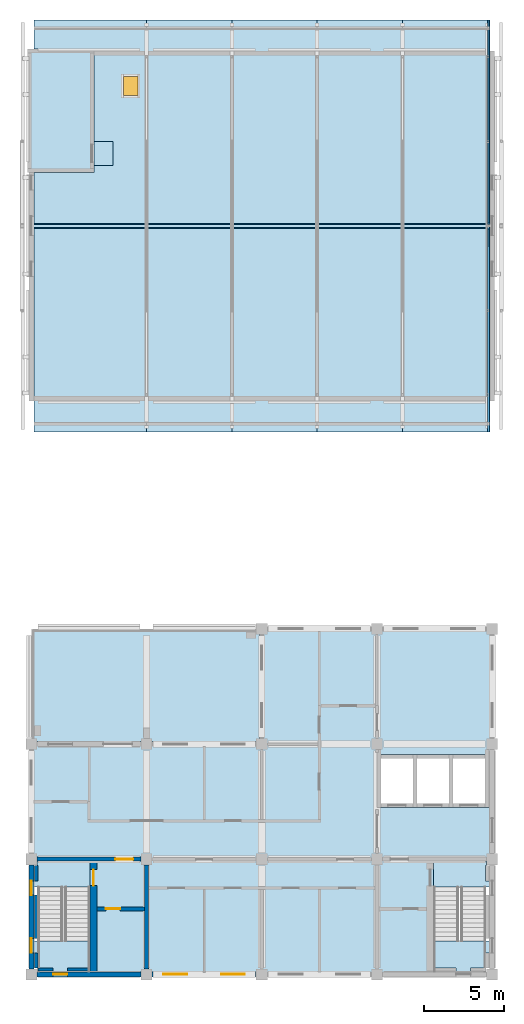
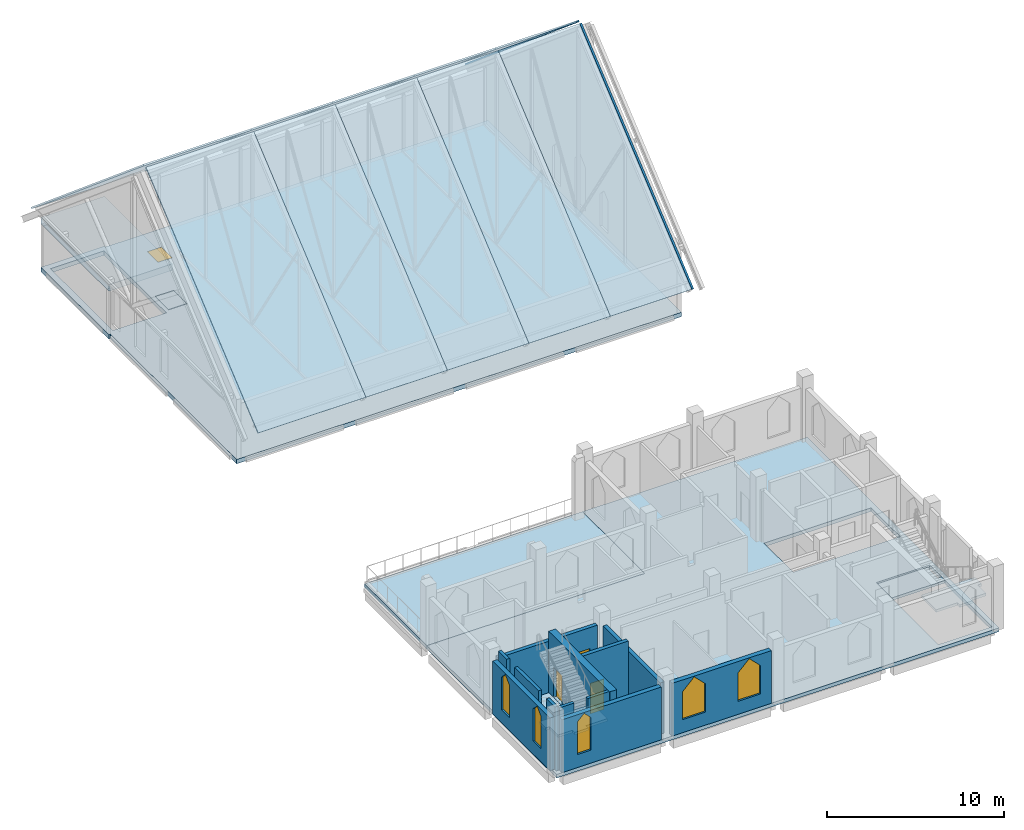
# One storey, part 24 of 29: 21 slabs, 12 walls, 6 windows, 3 doors, 9 openings, 2 elements without a shape of their own.
"""IFC4 building model written with IfcOpenShell, lengths in metres."""

from ifc_helpers import new_model, si_unit, direction, frame, frame_2d, origin, origin_2d, place, context, subcontext, project, spatial, polyline, rectangle, outline, extrude, material, layer, layer_set, type_object, element, fill, aggregate, save


model = new_model("IFC4")

# Units and contexts
model_context = context("Model", 3, precision=1e-05, world=origin(), true_north=direction((0.0, 1.0)))
body_context = subcontext(model_context, "Body", "Model", "MODEL_VIEW")
ifc_project = project(units=[si_unit("LENGTHUNIT", "METRE"), si_unit("AREAUNIT", "SQUARE_METRE"), si_unit("VOLUMEUNIT", "CUBIC_METRE"), si_unit("PLANEANGLEUNIT", "RADIAN"), si_unit("MASSUNIT", "GRAM", prefix="KILO")], contexts=[model_context])

# Site, building, storey
site_placement = place(None, origin())
site = spatial("IfcSite", under=ifc_project, at=site_placement, CompositionType="ELEMENT")
building_placement = place(site_placement, origin())
building = spatial("IfcBuilding", under=site, at=building_placement, Name="Silangan Lancet Faculty of Sciences", CompositionType="ELEMENT")
storey_placement = place(building_placement, frame((0.0, 0.0, 54.300048828125)))
storey = spatial("IfcBuildingStorey", under=building, at=storey_placement, Name="L11", CompositionType="ELEMENT", Elevation=54.300048828125)

# Slabs
ifc_material_1 = material(Name="Concrete C35/45", Category="concrete")
ifc_layer_1 = layer(ifc_material_1, 0.449951171875)
ifc_layer_set_1 = layer_set([ifc_layer_1], Name="Concrete C35/45")
slab_type_1 = type_object("IfcSlabType", Name="Head-house lid slab 450", PredefinedType="FLOOR", material=ifc_layer_set_1)
slab_1_placement = place(storey_placement, frame((0.0, 0.0, 3.0)))
element("IfcSlab", 1, at=slab_1_placement, inside=storey, type_object=slab_type_1, Name="Head-house NT-A lid slab", PredefinedType="FLOOR", context=body_context, shape_type="SweptSolid", body=[
    extrude(outline(polyline([(-0.25, 50.14990234375), (3.89990234375, 50.14990234375), (3.89990234375, 57.85009765625), (-0.25, 57.85009765625), (-0.25, 50.14990234375)])), origin(), (0.0, 0.0, 1.0), 0.449951171875),
])
ifc_material_2 = material(Name="Concrete C35/45 precast", Category="concrete")
ifc_layer_2 = layer(ifc_material_2, 0.02001953125)
ifc_layer_set_2 = layer_set([ifc_layer_2], Name="Concrete C35/45 precast")
slab_type_2 = type_object("IfcSlabType", Name="Roof door landing paver", PredefinedType="LANDING", material=ifc_layer_set_2)
slab_2_placement = place(storey_placement, origin())
element("IfcSlab", 2, at=slab_2_placement, inside=storey, type_object=slab_type_2, Name="Roof door landing NT-A", PredefinedType="LANDING", context=body_context, shape_type="SweptSolid", body=[
    extrude(outline(polyline([(3.89990234375, 50.58740234375), (5.10009765625, 50.58740234375), (5.10009765625, 52.08740234375), (3.89990234375, 52.08740234375), (3.89990234375, 50.58740234375)])), origin(), (0.0, 0.0, 1.0), 0.02001953125),
])
ifc_material_3 = material(Name="Insulated cold-formed steel roof sheeting", Category="steel")
ifc_layer_3 = layer(ifc_material_3, 0.10009765625)
ifc_layer_set_3 = layer_set([ifc_layer_3], Name="Insulated cold-formed steel roof sheeting")
slab_type_3 = type_object("IfcSlabType", Name="Roof sheeting panel 100", PredefinedType="ROOF", material=ifc_layer_set_3)
slab_3_placement = place(storey_placement, frame((0.14990234375, 33.926513671875, 2.902587890625), z_axis=(0.0, -0.643193121293, 0.765703995498), x_axis=(1.0, 0.0, 0.0)))
element("IfcSlab", 3, at=slab_3_placement, inside=storey, type_object=slab_type_3, Name="Gable roof sheeting 1S", PredefinedType="ROOF", context=body_context, shape_type="SweptSolid", body=[
    extrude(outline(polyline([(0.0, 0.0), (7.050048828125, 0.0), (7.050048828125, 16.59809611853803), (0.0, 16.59809611853803), (0.0, 0.0)])), origin(), (0.0, 0.0, -1.0), 0.10009765625),
])
slab_4_placement = place(storey_placement, frame((0.14990234375, 46.96435546875, 13.578369140625), z_axis=(0.0, 0.64320036544, 0.76569791034), x_axis=(1.0, 0.0, 0.0)))
element("IfcSlab", 4, at=slab_4_placement, inside=storey, type_object=slab_type_3, Name="Gable roof sheeting 1N", PredefinedType="ROOF", context=body_context, shape_type="SweptSolid", body=[
    extrude(outline(polyline([(0.0, 0.0), (7.050048828125, 0.0), (7.050048828125, 16.597909179828818), (0.0, 16.597909179828818), (0.0, 0.0)])), origin(), (0.0, 0.0, -1.0), 0.10009765625),
])
slab_5_placement = place(storey_placement, frame((7.199951171875, 33.926513671875, 2.902587890625), z_axis=(0.0, -0.643193121293, 0.765703995498), x_axis=(1.0, 0.0, 0.0)))
element("IfcSlab", 5, at=slab_5_placement, inside=storey, type_object=slab_type_3, Name="Gable roof sheeting 2S", PredefinedType="ROOF", context=body_context, shape_type="SweptSolid", body=[
    extrude(outline(polyline([(0.0, 0.0), (5.331298828125, 0.0), (5.331298828125, 16.59809611853803), (0.0, 16.59809611853803), (0.0, 0.0)])), origin(), (0.0, 0.0, -1.0), 0.10009765625),
])
slab_6_placement = place(storey_placement, frame((7.199951171875, 46.96435546875, 13.578369140625), z_axis=(0.0, 0.64320036544, 0.76569791034), x_axis=(1.0, 0.0, 0.0)))
element("IfcSlab", 6, at=slab_6_placement, inside=storey, type_object=slab_type_3, Name="Gable roof sheeting 2N", PredefinedType="ROOF", context=body_context, shape_type="SweptSolid", body=[
    extrude(outline(polyline([(0.0, 0.0), (5.331298828125, 0.0), (5.331298828125, 16.597909179828818), (0.0, 16.597909179828818), (0.0, 0.0)])), origin(), (0.0, 0.0, -1.0), 0.10009765625),
])
slab_7_placement = place(storey_placement, frame((12.53125, 33.926513671875, 2.902587890625), z_axis=(0.0, -0.643193121293, 0.765703995498), x_axis=(1.0, 0.0, 0.0)))
element("IfcSlab", 7, at=slab_7_placement, inside=storey, type_object=slab_type_3, Name="Gable roof sheeting 3S", PredefinedType="ROOF", context=body_context, shape_type="SweptSolid", body=[
    extrude(outline(polyline([(0.0, 0.0), (5.331298828125, 0.0), (5.331298828125, 16.59809611853803), (0.0, 16.59809611853803), (0.0, 0.0)])), origin(), (0.0, 0.0, -1.0), 0.10009765625),
])
slab_8_placement = place(storey_placement, frame((12.53125, 46.96435546875, 13.578369140625), z_axis=(0.0, 0.64320036544, 0.76569791034), x_axis=(1.0, 0.0, 0.0)))
element("IfcSlab", 8, at=slab_8_placement, inside=storey, type_object=slab_type_3, Name="Gable roof sheeting 3N", PredefinedType="ROOF", context=body_context, shape_type="SweptSolid", body=[
    extrude(outline(polyline([(0.0, 0.0), (5.331298828125, 0.0), (5.331298828125, 16.597909179828818), (0.0, 16.597909179828818), (0.0, 0.0)])), origin(), (0.0, 0.0, -1.0), 0.10009765625),
])
slab_9_placement = place(storey_placement, frame((17.862548828125, 33.926513671875, 2.902587890625), z_axis=(0.0, -0.643193121293, 0.765703995498), x_axis=(1.0, 0.0, 0.0)))
element("IfcSlab", 9, at=slab_9_placement, inside=storey, type_object=slab_type_3, Name="Gable roof sheeting 4S", PredefinedType="ROOF", context=body_context, shape_type="SweptSolid", body=[
    extrude(outline(polyline([(0.0, 0.0), (5.331298828125, 0.0), (5.331298828125, 16.59809611853803), (0.0, 16.59809611853803), (0.0, 0.0)])), origin(), (0.0, 0.0, -1.0), 0.10009765625),
])
slab_10_placement = place(storey_placement, frame((17.862548828125, 46.96435546875, 13.578369140625), z_axis=(0.0, 0.64320036544, 0.76569791034), x_axis=(1.0, 0.0, 0.0)))
element("IfcSlab", 10, at=slab_10_placement, inside=storey, type_object=slab_type_3, Name="Gable roof sheeting 4N", PredefinedType="ROOF", context=body_context, shape_type="SweptSolid", body=[
    extrude(outline(polyline([(0.0, 0.0), (5.331298828125, 0.0), (5.331298828125, 16.597909179828818), (0.0, 16.597909179828818), (0.0, 0.0)])), origin(), (0.0, 0.0, -1.0), 0.10009765625),
])
slab_11_placement = place(storey_placement, frame((23.19384765625, 33.926513671875, 2.902587890625), z_axis=(0.0, -0.643193121293, 0.765703995498), x_axis=(1.0, 0.0, 0.0)))
element("IfcSlab", 11, at=slab_11_placement, inside=storey, type_object=slab_type_3, Name="Gable roof sheeting 5S", PredefinedType="ROOF", context=body_context, shape_type="SweptSolid", body=[
    extrude(outline(polyline([(0.0, 0.0), (5.3310546875, 0.0), (5.3310546875, 16.59809611853803), (0.0, 16.59809611853803), (0.0, 0.0)])), origin(), (0.0, 0.0, -1.0), 0.10009765625),
])
slab_12_placement = place(storey_placement, frame((23.19384765625, 46.96435546875, 13.578369140625), z_axis=(0.0, 0.64320036544, 0.76569791034), x_axis=(1.0, 0.0, 0.0)))
element("IfcSlab", 12, at=slab_12_placement, inside=storey, type_object=slab_type_3, Name="Gable roof sheeting 5N", PredefinedType="ROOF", context=body_context, shape_type="SweptSolid", body=[
    extrude(outline(polyline([(0.0, 0.0), (5.3310546875, 0.0), (5.3310546875, 16.597909179828818), (0.0, 16.597909179828818), (0.0, 0.0)])), origin(), (0.0, 0.0, -1.0), 0.10009765625),
])
slab_13_placement = place(storey_placement, frame((28.52490234375, 33.926513671875, 2.902587890625), z_axis=(0.0, -0.643193121293, 0.765703995498), x_axis=(1.0, 0.0, 0.0)))
element("IfcSlab", 13, at=slab_13_placement, inside=storey, type_object=slab_type_3, Name="Gable roof sheeting 6S", PredefinedType="ROOF", context=body_context, shape_type="SweptSolid", body=[
    extrude(outline(polyline([(0.0, 0.0), (0.125, 0.0), (0.125, 16.59809611853803), (0.0, 16.59809611853803), (0.0, 0.0)])), origin(), (0.0, 0.0, -1.0), 0.10009765625),
])
slab_14_placement = place(storey_placement, frame((28.52490234375, 46.96435546875, 13.578369140625), z_axis=(0.0, 0.64320036544, 0.76569791034), x_axis=(1.0, 0.0, 0.0)))
element("IfcSlab", 14, at=slab_14_placement, inside=storey, type_object=slab_type_3, Name="Gable roof sheeting 6N", PredefinedType="ROOF", context=body_context, shape_type="SweptSolid", body=[
    extrude(outline(polyline([(0.0, 0.0), (0.125, 0.0), (0.125, 16.597909179828818), (0.0, 16.597909179828818), (0.0, 0.0)])), origin(), (0.0, 0.0, -1.0), 0.10009765625),
])
ifc_material_4 = material(Name="Concrete C35/45", Category="concrete")
ifc_layer_4 = layer(ifc_material_4, 0.25)
ifc_layer_set_4 = layer_set([ifc_layer_4], Name="Concrete C35/45")
slab_type_4 = type_object("IfcSlabType", Name="SLAB FLOOR 250", PredefinedType="FLOOR", material=ifc_layer_set_4)
slab_15_placement = place(storey_placement, frame((0.0, 0.0, -0.25)))
element("IfcSlab", 15, at=slab_15_placement, inside=storey, type_object=slab_type_4, Name="SLAB-L11-ST", PredefinedType="FLOOR", context=body_context, shape_type="SweptSolid", body=[
    extrude(outline(polyline([(0.0, 14.550048828125), (0.0, -0.14990234375), (28.949951171875, -0.14990234375), (28.949951171875, 21.60009765625), (14.25, 21.60009765625), (14.25, 14.550048828125), (0.0, 14.550048828125)]), holes=[polyline([(0.14990234375, 0.14990234375), (0.14990234375, 7.199951171875), (3.64990234375, 7.199951171875), (3.64990234375, 0.14990234375), (0.14990234375, 0.14990234375)]), polyline([(25.14990234375, 7.199951171875), (28.64990234375, 7.199951171875), (28.64990234375, 0.14990234375), (25.14990234375, 0.14990234375), (25.14990234375, 7.199951171875)]), polyline([(21.60009765625, 13.75), (28.60009765625, 13.75), (28.60009765625, 10.449951171875), (21.60009765625, 10.449951171875), (21.60009765625, 13.75)])]), origin(), (0.0, 0.0, 1.0), 0.25),
])
slab_16_placement = place(storey_placement, frame((0.0, 0.0, -0.25)))
element("IfcSlab", 16, at=slab_16_placement, inside=storey, type_object=slab_type_4, Name="Terrace slab ST-T1", PredefinedType="FLOOR", context=body_context, shape_type="SweptSolid", body=[
    extrude(outline(polyline([(0.0, 21.60009765625), (0.0, 14.550048828125), (14.25, 14.550048828125), (14.25, 21.60009765625), (0.0, 21.60009765625)])), origin(), (0.0, 0.0, 1.0), 0.25),
])

# Slab, opening, window
ifc_material_5 = material(Name="Concrete C35/45", Category="concrete")
ifc_layer_5 = layer(ifc_material_5, 0.300048828125)
ifc_layer_set_5 = layer_set([ifc_layer_5], Name="Concrete C35/45")
slab_type_5 = type_object("IfcSlabType", Name="SLAB ROOF 300", PredefinedType="ROOF", material=ifc_layer_set_5)
slab_17_placement = place(storey_placement, frame((0.0, 0.0, -0.300048828125)))
slab_17 = element("IfcSlab", 17, at=slab_17_placement, inside=storey, type_object=slab_type_5, Name="RSLAB-L10-NT", PredefinedType="ROOF", context=body_context, shape_type="SweptSolid", body=[
    extrude(outline(polyline([(-0.14990234375, 35.85009765625), (28.949951171875, 35.85009765625), (28.949951171875, 57.75), (3.89990234375, 57.75), (3.89990234375, 57.85009765625), (-0.25, 57.85009765625), (-0.25, 50.14990234375), (-0.14990234375, 50.14990234375), (-0.14990234375, 35.85009765625)]), holes=[polyline([(3.64990234375, 57.449951171875), (3.64990234375, 50.39990234375), (0.14990234375, 50.39990234375), (0.14990234375, 57.449951171875), (3.64990234375, 57.449951171875)])]), origin(), (0.0, 0.0, 1.0), 0.300048828125),
])
opening_1_placement = place(slab_17_placement, frame((6.199951171875, 55.550048828125, 0.0)))
opening_1 = element("IfcOpeningElement", 18, at=opening_1_placement, cuts=slab_17, Name="Opening RH-NT", PredefinedType="OPENING", context=body_context, shape_type="SweptSolid", body=[
    extrude(rectangle(XDim=0.89990234375, YDim=1.199951171875, at=origin_2d()), origin(), (0.0, 0.0, 1.0), 0.300048828125),
])
ifc_material_6 = material(Name="Aluminium insulated hatch", Category="aluminium")
window_type_1 = type_object("IfcWindowType", Name="Roof access hatch 900x1200", PartitioningType="SINGLE_PANEL", PredefinedType="SKYLIGHT", material=ifc_material_6)
window_1_placement = place(opening_1_placement, frame((0.0, 0.0, 0.25)))
window_1 = element("IfcWindow", 19, at=window_1_placement, inside=storey, type_object=window_type_1, Name="Roof access hatch NT", OverallHeight=1.199951171875, OverallWidth=0.89990234375, PartitioningType="SINGLE_PANEL", PredefinedType="SKYLIGHT", context=body_context, shape_type="SweptSolid", body=[
    extrude(rectangle(XDim=0.89990234375, YDim=1.199951171875, at=origin_2d()), origin(), (0.0, 0.0, 1.0), 0.050048828125),
])
fill(opening_1, window_1)

# Stair, slabs
ifc_material_7 = material(Name="Concrete C40/50", Category="concrete")
stair_type = type_object("IfcStairType", Name="TURRET STAIR 1550 TWO-FLIGHT", PredefinedType="HALF_TURN_STAIR", material=ifc_material_7)
stair_1_placement = place(storey_placement, origin())
stair_1 = element("IfcStair", 20, at=stair_1_placement, inside=storey, type_object=stair_type, Name="ST-A stair L11", PredefinedType="HALF_TURN_STAIR")
ifc_material_8 = material(Name="Concrete C40/50", Category="concrete")
ifc_layer_6 = layer(ifc_material_8, 0.179931640625)
ifc_layer_set_6 = layer_set([ifc_layer_6], Name="Concrete C40/50")
slab_type_6 = type_object("IfcSlabType", Name="TURRET STAIR LANDING RC 180", PredefinedType="LANDING", material=ifc_layer_set_6)
slab_18_placement = place(storey_placement, frame((0.0, 0.0, -0.179931640625)))
slab_18 = element("IfcSlab", 21, at=slab_18_placement, type_object=slab_type_6, Name="STR1 landing 1", PredefinedType="LANDING", context=body_context, shape_type="SweptSolid", body=[
    extrude(outline(polyline([(0.35009765625, 6.800048828125), (0.35009765625, 7.074951171875), (3.64990234375, 7.074951171875), (3.64990234375, 5.449951171875), (0.14990234375, 5.449951171875), (0.14990234375, 5.85009765625), (0.39990234375, 5.85009765625), (0.39990234375, 6.800048828125), (0.35009765625, 6.800048828125)])), origin(), (0.0, 0.0, 1.0), 0.179931640625),
])
slab_19_placement = place(storey_placement, frame((0.0, 0.0, 2.070068359375)))
slab_19 = element("IfcSlab", 22, at=slab_19_placement, type_object=slab_type_6, Name="STR1 landing 2", PredefinedType="LANDING", context=body_context, shape_type="SweptSolid", body=[
    extrude(outline(polyline([(0.14990234375, 1.35009765625), (0.14990234375, 2.090087890625), (3.64990234375, 2.090087890625), (3.64990234375, 0.39990234375), (2.25, 0.39990234375), (2.25, 0.14990234375), (1.35009765625, 0.14990234375), (1.35009765625, 0.39990234375), (0.39990234375, 0.39990234375), (0.39990234375, 1.35009765625), (0.14990234375, 1.35009765625)])), origin(), (0.0, 0.0, 1.0), 0.179931640625),
])
aggregate(stair_1, [slab_18, slab_19])

stair_2_placement = place(storey_placement, origin())
stair_2 = element("IfcStair", 23, at=stair_2_placement, inside=storey, type_object=stair_type, Name="ST-B stair L11", PredefinedType="HALF_TURN_STAIR")
slab_20_placement = place(storey_placement, frame((0.0, 0.0, -0.179931640625)))
slab_20 = element("IfcSlab", 24, at=slab_20_placement, type_object=slab_type_6, Name="STR2 landing 1", PredefinedType="LANDING", context=body_context, shape_type="SweptSolid", body=[
    extrude(outline(polyline([(28.39990234375, 6.800048828125), (28.39990234375, 5.85009765625), (28.64990234375, 5.85009765625), (28.64990234375, 5.449951171875), (25.14990234375, 5.449951171875), (25.14990234375, 7.074951171875), (28.449951171875, 7.074951171875), (28.449951171875, 6.800048828125), (28.39990234375, 6.800048828125)])), origin(), (0.0, 0.0, 1.0), 0.179931640625),
])
slab_21_placement = place(storey_placement, frame((0.0, 0.0, 2.070068359375)))
slab_21 = element("IfcSlab", 25, at=slab_21_placement, type_object=slab_type_6, Name="STR2 landing 2", PredefinedType="LANDING", context=body_context, shape_type="SweptSolid", body=[
    extrude(outline(polyline([(26.550048828125, 0.14990234375), (26.550048828125, 0.39990234375), (25.14990234375, 0.39990234375), (25.14990234375, 2.090087890625), (28.64990234375, 2.090087890625), (28.64990234375, 1.35009765625), (28.39990234375, 1.35009765625), (28.39990234375, 0.39990234375), (27.449951171875, 0.39990234375), (27.449951171875, 0.14990234375), (26.550048828125, 0.14990234375)])), origin(), (0.0, 0.0, 1.0), 0.179931640625),
])
aggregate(stair_2, [slab_20, slab_21])

# Wall, openings, windows
ifc_material_9 = material(Name="Concrete C40/50 precast", Category="concrete")
ifc_layer_7 = layer(ifc_material_9, 0.300048828125)
ifc_layer_set_7 = layer_set([ifc_layer_7], Name="Concrete C40/50 precast")
wall_type_1 = type_object("IfcWallType", Name="EW1 Precast cladding wall", PredefinedType="STANDARD", material=ifc_layer_set_7)
wall_1_placement = place(storey_placement, frame((7.550048828125, 0.0, 0.0), z_axis=(0.0, 0.0, 1.0), x_axis=(1.0, 0.0, 0.0)))
wall_1 = element("IfcWall", 26, at=wall_1_placement, inside=storey, type_object=wall_type_1, Name="EW-L11-S-ST-01", PredefinedType="STANDARD", context=body_context, shape_type="SweptSolid", body=[
    extrude(rectangle(XDim=6.5, YDim=0.300048828125, at=frame_2d((3.25, 0.0))), origin(), (0.0, 0.0, 1.0), 3.64990234375),
])
opening_2_placement = place(wall_1_placement, frame((0.699951171875, 0.0, 0.89990234375)))
opening_2 = element("IfcOpeningElement", 27, at=opening_2_placement, cuts=wall_1, Name="Opening W23", PredefinedType="OPENING", context=body_context, shape_type="SweptSolid", body=[
    extrude(outline(polyline([(0.0, 0.0), (1.5, 0.0), (1.5, 1.949951171875), (0.75, 2.699951171875), (0.0, 1.949951171875), (0.0, 0.0)])), frame((0.0, 0.159912109375, 0.0), z_axis=(0.0, -1.0, 0.0), x_axis=(1.0, 0.0, 0.0)), (0.0, 0.0, 1.0), 0.320068359375),
])
opening_3_placement = place(wall_1_placement, frame((4.300048828125, 0.0, 0.89990234375)))
opening_3 = element("IfcOpeningElement", 28, at=opening_3_placement, cuts=wall_1, Name="Opening W23", PredefinedType="OPENING", context=body_context, shape_type="SweptSolid", body=[
    extrude(outline(polyline([(0.0, 0.0), (1.5, 0.0), (1.5, 1.949951171875), (0.75, 2.699951171875), (0.0, 1.949951171875), (0.0, 0.0)])), frame((0.0, 0.159912109375, 0.0), z_axis=(0.0, -1.0, 0.0), x_axis=(1.0, 0.0, 0.0)), (0.0, 0.0, 1.0), 0.320068359375),
])
ifc_material_10 = material(Name="Aluminium frame, laminated double glazing", Category="aluminium")
window_type_2 = type_object("IfcWindowType", Name="W23 Lancet window 1500 x 2700", PartitioningType="SINGLE_PANEL", PredefinedType="WINDOW", material=ifc_material_10)
window_2_placement = place(opening_2_placement, origin())
window_2 = element("IfcWindow", 29, at=window_2_placement, inside=storey, type_object=window_type_2, Name="WIN-L11-S-ST-01a", OverallHeight=2.699951171875, OverallWidth=1.5, PartitioningType="SINGLE_PANEL", PredefinedType="WINDOW", context=body_context, shape_type="SweptSolid", body=[
    extrude(outline(polyline([(0.0, 0.0), (1.5, 0.0), (1.5, 1.949951171875), (0.75, 2.699951171875), (0.0, 1.949951171875), (0.0, 0.0)])), frame((0.0, 0.030029296875, 0.0), z_axis=(0.0, -1.0, 0.0), x_axis=(1.0, 0.0, 0.0)), (0.0, 0.0, 1.0), 0.06005859375),
])
fill(opening_2, window_2)
window_3_placement = place(opening_3_placement, origin())
window_3 = element("IfcWindow", 30, at=window_3_placement, inside=storey, type_object=window_type_2, Name="WIN-L11-S-ST-01b", OverallHeight=2.699951171875, OverallWidth=1.5, PartitioningType="SINGLE_PANEL", PredefinedType="WINDOW", context=body_context, shape_type="SweptSolid", body=[
    extrude(outline(polyline([(0.0, 0.0), (1.5, 0.0), (1.5, 1.949951171875), (0.75, 2.699951171875), (0.0, 1.949951171875), (0.0, 0.0)])), frame((0.0, 0.030029296875, 0.0), z_axis=(0.0, -1.0, 0.0), x_axis=(1.0, 0.0, 0.0)), (0.0, 0.0, 1.0), 0.06005859375),
])
fill(opening_3, window_3)

ifc_material_11 = material(Name="Concrete C40/50 precast", Category="concrete")
ifc_layer_8 = layer(ifc_material_11, 0.300048828125)
ifc_layer_set_8 = layer_set([ifc_layer_8], Name="Concrete C40/50 precast")
wall_type_2 = type_object("IfcWallType", Name="EW2 Turret enclosure wall", PredefinedType="STANDARD", material=ifc_layer_set_8)
wall_2_placement = place(storey_placement, frame((0.0, 0.35009765625, 0.0), z_axis=(0.0, 0.0, 1.0), x_axis=(0.0, 1.0, 0.0)))
wall_2 = element("IfcWall", 31, at=wall_2_placement, inside=storey, type_object=wall_type_2, Name="EW-L11-W-ST-U-00", PredefinedType="STANDARD", context=body_context, shape_type="SweptSolid", body=[
    extrude(rectangle(XDim=6.5, YDim=0.300048828125, at=frame_2d((3.25, 0.0))), origin(), (0.0, 0.0, 1.0), 3.64990234375),
])
opening_4_placement = place(wall_2_placement, frame((1.0, 0.0, 0.89990234375)))
opening_4 = element("IfcOpeningElement", 32, at=opening_4_placement, cuts=wall_2, Name="Opening W22", PredefinedType="OPENING", context=body_context, shape_type="SweptSolid", body=[
    extrude(outline(polyline([(0.0, 0.0), (0.89990234375, 0.0), (0.89990234375, 2.25), (0.449951171875, 2.699951171875), (0.0, 2.25), (0.0, 0.0)])), frame((0.0, 0.159912109375, 0.0), z_axis=(0.0, -1.0, 0.0), x_axis=(1.0, 0.0, 0.0)), (0.0, 0.0, 1.0), 0.320068359375),
])
opening_5_placement = place(wall_2_placement, frame((4.60009765625, 0.0, 0.89990234375)))
opening_5 = element("IfcOpeningElement", 33, at=opening_5_placement, cuts=wall_2, Name="Opening W22", PredefinedType="OPENING", context=body_context, shape_type="SweptSolid", body=[
    extrude(outline(polyline([(0.0, 0.0), (0.89990234375, 0.0), (0.89990234375, 2.25), (0.449951171875, 2.699951171875), (0.0, 2.25), (0.0, 0.0)])), frame((0.0, 0.159912109375, 0.0), z_axis=(0.0, -1.0, 0.0), x_axis=(1.0, 0.0, 0.0)), (0.0, 0.0, 1.0), 0.320068359375),
])
ifc_material_12 = material(Name="Aluminium frame, laminated double glazing", Category="aluminium")
window_type_3 = type_object("IfcWindowType", Name="W22 Lancet window 900 x 2700", PartitioningType="SINGLE_PANEL", PredefinedType="WINDOW", material=ifc_material_12)
window_4_placement = place(opening_4_placement, origin())
window_4 = element("IfcWindow", 34, at=window_4_placement, inside=storey, type_object=window_type_3, Name="WIN-L11-W-ST-U-00a", OverallHeight=2.699951171875, OverallWidth=0.89990234375, PartitioningType="SINGLE_PANEL", PredefinedType="WINDOW", context=body_context, shape_type="SweptSolid", body=[
    extrude(outline(polyline([(0.0, 0.0), (0.89990234375, 0.0), (0.89990234375, 2.25), (0.449951171875, 2.699951171875), (0.0, 2.25), (0.0, 0.0)])), frame((0.0, 0.030029296875, 0.0), z_axis=(0.0, -1.0, 0.0), x_axis=(1.0, 0.0, 0.0)), (0.0, 0.0, 1.0), 0.06005859375),
])
fill(opening_4, window_4)
window_5_placement = place(opening_5_placement, origin())
window_5 = element("IfcWindow", 35, at=window_5_placement, inside=storey, type_object=window_type_3, Name="WIN-L11-W-ST-U-00b", OverallHeight=2.699951171875, OverallWidth=0.89990234375, PartitioningType="SINGLE_PANEL", PredefinedType="WINDOW", context=body_context, shape_type="SweptSolid", body=[
    extrude(outline(polyline([(0.0, 0.0), (0.89990234375, 0.0), (0.89990234375, 2.25), (0.449951171875, 2.699951171875), (0.0, 2.25), (0.0, 0.0)])), frame((0.0, 0.030029296875, 0.0), z_axis=(0.0, -1.0, 0.0), x_axis=(1.0, 0.0, 0.0)), (0.0, 0.0, 1.0), 0.06005859375),
])
fill(opening_5, window_5)

# Wall, opening, window
wall_3_placement = place(storey_placement, frame((0.35009765625, 0.0, 0.0), z_axis=(0.0, 0.0, 1.0), x_axis=(1.0, 0.0, 0.0)))
wall_3 = element("IfcWall", 36, at=wall_3_placement, inside=storey, type_object=wall_type_2, Name="EW-L11-S-ST-00", PredefinedType="STANDARD", context=body_context, shape_type="SweptSolid", body=[
    extrude(rectangle(XDim=6.5, YDim=0.300048828125, at=frame_2d((3.25, 0.0))), origin(), (0.0, 0.0, 1.0), 3.64990234375),
])
opening_6_placement = place(wall_3_placement, frame((1.0, 0.0, 0.89990234375)))
opening_6 = element("IfcOpeningElement", 37, at=opening_6_placement, cuts=wall_3, Name="Opening W22", PredefinedType="OPENING", context=body_context, shape_type="SweptSolid", body=[
    extrude(outline(polyline([(0.0, 0.0), (0.89990234375, 0.0), (0.89990234375, 2.25), (0.449951171875, 2.699951171875), (0.0, 2.25), (0.0, 0.0)])), frame((0.0, 0.159912109375, 0.0), z_axis=(0.0, -1.0, 0.0), x_axis=(1.0, 0.0, 0.0)), (0.0, 0.0, 1.0), 0.320068359375),
])
window_6_placement = place(opening_6_placement, origin())
window_6 = element("IfcWindow", 38, at=window_6_placement, inside=storey, type_object=window_type_3, Name="WIN-L11-S-ST-00a", OverallHeight=2.699951171875, OverallWidth=0.89990234375, PartitioningType="SINGLE_PANEL", PredefinedType="WINDOW", context=body_context, shape_type="SweptSolid", body=[
    extrude(outline(polyline([(0.0, 0.0), (0.89990234375, 0.0), (0.89990234375, 2.25), (0.449951171875, 2.699951171875), (0.0, 2.25), (0.0, 0.0)])), frame((0.0, 0.030029296875, 0.0), z_axis=(0.0, -1.0, 0.0), x_axis=(1.0, 0.0, 0.0)), (0.0, 0.0, 1.0), 0.06005859375),
])
fill(opening_6, window_6)

# Wall, opening, door
ifc_material_13 = material(Name="Concrete C40/50", Category="concrete")
ifc_layer_9 = layer(ifc_material_13, 0.449951171875)
ifc_layer_set_9 = layer_set([ifc_layer_9], Name="Concrete C40/50")
wall_type_3 = type_object("IfcWallType", Name="TURRET CORE WALL RC 450", PredefinedType="SHEAR", material=ifc_layer_set_9)
wall_4_placement = place(storey_placement, frame((3.875, 0.14990234375, 0.0), z_axis=(0.0, 0.0, 1.0), x_axis=(0.0, 1.0, 0.0)))
wall_4 = element("IfcWall", 39, at=wall_4_placement, inside=storey, type_object=wall_type_3, Name="WALL-L11-ST-A-WELL", PredefinedType="SHEAR", context=body_context, shape_type="SweptSolid", body=[
    extrude(rectangle(XDim=6.925048828125, YDim=0.449951171875, at=frame_2d((3.46240234375, 0.0))), origin(), (0.0, 0.0, 1.0), 4.25),
])
opening_7_placement = place(wall_4_placement, frame((5.39990234375, 0.0, 0.0)))
opening_7 = element("IfcOpeningElement", 40, at=opening_7_placement, cuts=wall_4, Name="Opening L11-701", PredefinedType="OPENING", context=body_context, shape_type="SweptSolid", body=[
    extrude(rectangle(XDim=1.0, YDim=2.10009765625, at=frame_2d((0.5, 1.050048828125))), frame((0.0, 0.23486328125, 0.0), z_axis=(0.0, -1.0, 0.0), x_axis=(1.0, 0.0, 0.0)), (0.0, 0.0, 1.0), 0.469970703125),
])
ifc_material_14 = material(Name="Steel fire door set", Category="steel")
door_type_1 = type_object("IfcDoorType", Name="D71 Stair enclosure door 1000x2100", OperationType="SINGLE_SWING_LEFT", PredefinedType="DOOR", material=ifc_material_14)
door_1_placement = place(opening_7_placement, origin())
door_1 = element("IfcDoor", 41, at=door_1_placement, inside=storey, type_object=door_type_1, Name="Stair enclosure door ST-A L11", OperationType="SINGLE_SWING_RIGHT", OverallHeight=2.10009765625, OverallWidth=1.0, PredefinedType="DOOR", context=body_context, shape_type="SweptSolid", body=[
    extrude(rectangle(XDim=1.0, YDim=2.10009765625, at=frame_2d((0.5, 1.050048828125))), frame((0.0, 0.02490234375, 0.0), z_axis=(0.0, -1.0, 0.0), x_axis=(1.0, 0.0, 0.0)), (0.0, 0.0, 1.0), 0.050048828125),
])
fill(opening_7, door_1)

# Walls
ifc_material_15 = material(Name="Concrete C40/50", Category="concrete")
ifc_layer_10 = layer(ifc_material_15, 0.199951171875)
ifc_layer_set_10 = layer_set([ifc_layer_10], Name="Concrete C40/50")
wall_type_4 = type_object("IfcWallType", Name="TURRET LINING WALL RC 200", PredefinedType="SHEAR", material=ifc_layer_set_10)
wall_5_placement = place(storey_placement, frame((0.300048828125, 0.39990234375, -0.25), z_axis=(0.0, 0.0, 1.0), x_axis=(0.0, 1.0, 0.0)))
element("IfcWall", 42, at=wall_5_placement, inside=storey, type_object=wall_type_4, Name="WALL-L11-ST-A-WL", PredefinedType="SHEAR", context=body_context, shape_type="SweptSolid", body=[
    extrude(rectangle(XDim=0.9501953125, YDim=0.199951171875, at=frame_2d((0.47509765625, 0.0))), origin(), (0.0, 0.0, 1.0), 4.5),
])
wall_6_placement = place(storey_placement, frame((0.300048828125, 2.25, -0.25), z_axis=(0.0, 0.0, 1.0), x_axis=(0.0, 1.0, 0.0)))
element("IfcWall", 43, at=wall_6_placement, inside=storey, type_object=wall_type_4, Name="WALL-L11-ST-A-WL-2", PredefinedType="SHEAR", context=body_context, shape_type="SweptSolid", body=[
    extrude(rectangle(XDim=2.699951171875, YDim=0.199951171875, at=frame_2d((1.35009765625, 0.0))), origin(), (0.0, 0.0, 1.0), 4.5),
])
wall_7_placement = place(storey_placement, frame((0.300048828125, 5.85009765625, -0.25), z_axis=(0.0, 0.0, 1.0), x_axis=(0.0, 1.0, 0.0)))
element("IfcWall", 44, at=wall_7_placement, inside=storey, type_object=wall_type_4, Name="WALL-L11-ST-A-WL-3", PredefinedType="SHEAR", context=body_context, shape_type="SweptSolid", body=[
    extrude(rectangle(XDim=0.949951171875, YDim=0.199951171875, at=frame_2d((0.47509765625, 0.0))), origin(), (0.0, 0.0, 1.0), 4.5),
])
wall_8_placement = place(storey_placement, frame((0.39990234375, 0.300048828125, -0.25), z_axis=(0.0, 0.0, 1.0), x_axis=(1.0, 0.0, 0.0)))
element("IfcWall", 45, at=wall_8_placement, inside=storey, type_object=wall_type_4, Name="WALL-L11-ST-A-WLD", PredefinedType="SHEAR", context=body_context, shape_type="SweptSolid", body=[
    extrude(rectangle(XDim=0.9501953125, YDim=0.199951171875, at=frame_2d((0.47509765625, 0.0))), origin(), (0.0, 0.0, 1.0), 4.5),
])
wall_9_placement = place(storey_placement, frame((2.25, 0.300048828125, -0.25), z_axis=(0.0, 0.0, 1.0), x_axis=(1.0, 0.0, 0.0)))
element("IfcWall", 46, at=wall_9_placement, inside=storey, type_object=wall_type_4, Name="WALL-L11-ST-A-WLD-2", PredefinedType="SHEAR", context=body_context, shape_type="SweptSolid", body=[
    extrude(rectangle(XDim=1.39990234375, YDim=0.199951171875, at=frame_2d((0.699951171875, 0.0))), origin(), (0.0, 0.0, 1.0), 4.5),
])

# Wall, opening, door
ifc_material_16 = material(Name="Concrete C40/50", Category="concrete")
ifc_layer_11 = layer(ifc_material_16, 0.25)
ifc_layer_set_11 = layer_set([ifc_layer_11], Name="Concrete C40/50")
wall_type_5 = type_object("IfcWallType", Name="TURRET WALL RC 250", PredefinedType="SHEAR", material=ifc_layer_set_11)
wall_10_placement = place(storey_placement, frame((0.35009765625, 7.199951171875, 0.0), z_axis=(0.0, 0.0, 1.0), x_axis=(1.0, 0.0, 0.0)))
wall_10 = element("IfcWall", 47, at=wall_10_placement, inside=storey, type_object=wall_type_5, Name="WALL-L11-ST-A-V", PredefinedType="SHEAR", context=body_context, shape_type="SweptSolid", body=[
    extrude(rectangle(XDim=6.5, YDim=0.25, at=frame_2d((3.25, 0.0))), origin(), (0.0, 0.0, 1.0), 3.550048828125),
])
opening_8_placement = place(wall_10_placement, frame((4.89990234375, 0.0, 0.0)))
opening_8 = element("IfcOpeningElement", 48, at=opening_8_placement, cuts=wall_10, Name="Opening L11-702", PredefinedType="OPENING", context=body_context, shape_type="SweptSolid", body=[
    extrude(rectangle(XDim=1.10009765625, YDim=2.10009765625, at=frame_2d((0.550048828125, 1.050048828125))), frame((0.0, 0.135009765625, 0.0), z_axis=(0.0, -1.0, 0.0), x_axis=(1.0, 0.0, 0.0)), (0.0, 0.0, 1.0), 0.27001953125),
])
ifc_material_17 = material(Name="Steel fire door set", Category="steel")
door_type_2 = type_object("IfcDoorType", Name="D70 Stair vestibule door 1100x2100", OperationType="SINGLE_SWING_LEFT", PredefinedType="DOOR", material=ifc_material_17)
door_2_placement = place(opening_8_placement, frame((1.10009765625, 0.0, 0.0), z_axis=(0.0, 0.0, 1.0), x_axis=(-1.0, 0.0, 0.0)))
door_2 = element("IfcDoor", 49, at=door_2_placement, inside=storey, type_object=door_type_2, Name="Stair vestibule door ST-A L11", OperationType="SINGLE_SWING_LEFT", OverallHeight=2.10009765625, OverallWidth=1.10009765625, PredefinedType="DOOR", context=body_context, shape_type="SweptSolid", body=[
    extrude(rectangle(XDim=1.10009765625, YDim=2.10009765625, at=frame_2d((0.550048828125, 1.050048828125))), frame((0.0, 0.025146484375, 0.0), z_axis=(0.0, -1.0, 0.0), x_axis=(1.0, 0.0, 0.0)), (0.0, 0.0, 1.0), 0.050048828125),
])
fill(opening_8, door_2)

# Wall
wall_11_placement = place(storey_placement, frame((7.199951171875, 0.35009765625, 0.0), z_axis=(0.0, 0.0, 1.0), x_axis=(0.0, 1.0, 0.0)))
element("IfcWall", 50, at=wall_11_placement, inside=storey, type_object=wall_type_5, Name="WALL-L11-ST-A-O", PredefinedType="SHEAR", context=body_context, shape_type="SweptSolid", body=[
    extrude(rectangle(XDim=6.5, YDim=0.25, at=frame_2d((3.25, 0.0))), origin(), (0.0, 0.0, 1.0), 3.550048828125),
])

# Wall, opening, door
wall_12_placement = place(storey_placement, frame((4.10009765625, 4.10009765625, 0.0), z_axis=(0.0, 0.0, 1.0), x_axis=(1.0, 0.0, 0.0)))
wall_12 = element("IfcWall", 51, at=wall_12_placement, inside=storey, type_object=wall_type_5, Name="WALL-L11-ST-A-RISER", PredefinedType="SHEAR", context=body_context, shape_type="SweptSolid", body=[
    extrude(rectangle(XDim=2.974853515625, YDim=0.25, at=frame_2d((1.4873046875, 0.0))), origin(), (0.0, 0.0, 1.0), 4.25),
])
opening_9_placement = place(wall_12_placement, frame((0.550048828125, 0.0, 0.0)))
opening_9 = element("IfcOpeningElement", 52, at=opening_9_placement, cuts=wall_12, Name="Opening L11-703", PredefinedType="OPENING", context=body_context, shape_type="SweptSolid", body=[
    extrude(rectangle(XDim=0.89990234375, YDim=2.10009765625, at=frame_2d((0.449951171875, 1.050048828125))), frame((0.0, 0.135009765625, 0.0), z_axis=(0.0, -1.0, 0.0), x_axis=(1.0, 0.0, 0.0)), (0.0, 0.0, 1.0), 0.27001953125),
])
ifc_material_18 = material(Name="Steel fire door set", Category="steel")
door_type_3 = type_object("IfcDoorType", Name="D72 Riser access door 900x2100", OperationType="SINGLE_SWING_LEFT", PredefinedType="DOOR", material=ifc_material_18)
door_3_placement = place(opening_9_placement, frame((0.89990234375, 0.0, 0.0), z_axis=(0.0, 0.0, 1.0), x_axis=(-1.0, 0.0, 0.0)))
door_3 = element("IfcDoor", 53, at=door_3_placement, inside=storey, type_object=door_type_3, Name="Riser access door ST-A L11", OperationType="SINGLE_SWING_LEFT", OverallHeight=2.10009765625, OverallWidth=0.89990234375, PredefinedType="DOOR", context=body_context, shape_type="SweptSolid", body=[
    extrude(rectangle(XDim=0.89990234375, YDim=2.10009765625, at=frame_2d((0.449951171875, 1.050048828125))), frame((0.0, 0.025146484375, 0.0), z_axis=(0.0, -1.0, 0.0), x_axis=(1.0, 0.0, 0.0)), (0.0, 0.0, 1.0), 0.050048828125),
])
fill(opening_9, door_3)

save(model, "model.ifc")
